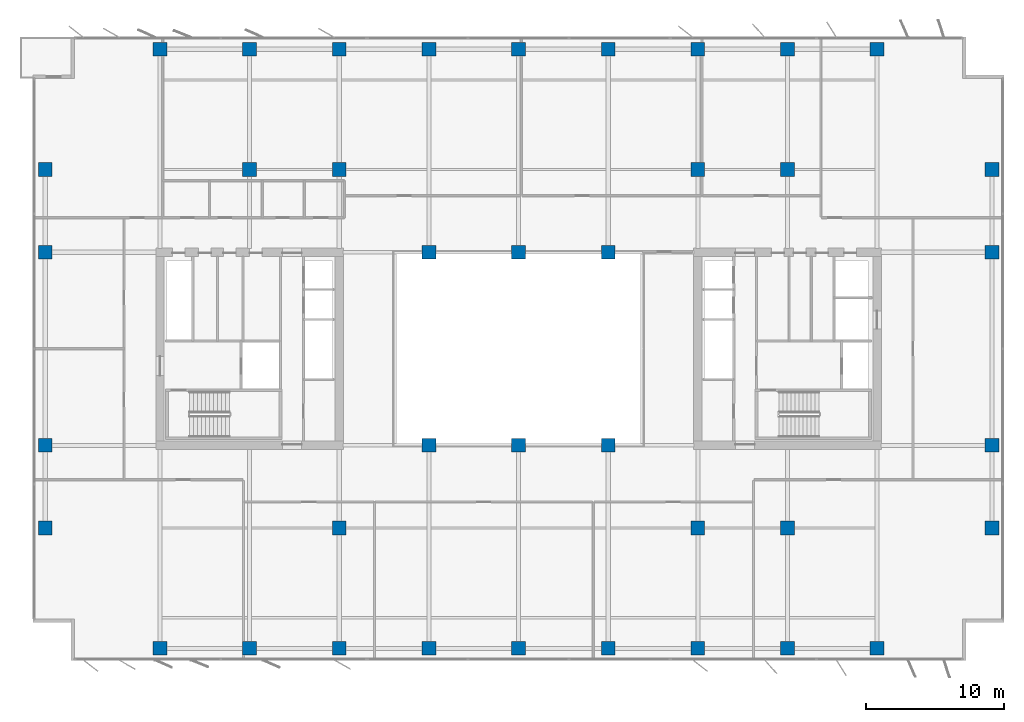
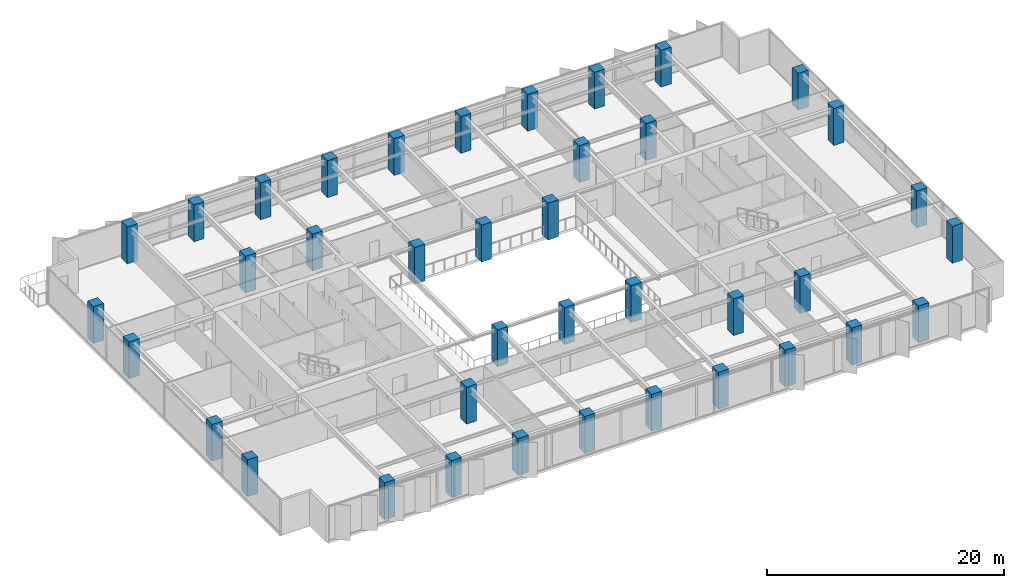
# One storey, part 1 of 22: 39 columns.
"""IFC4 building model written with IfcOpenShell, lengths in metres."""

from ifc_helpers import new_model, si_unit, direction, frame, origin, origin_2d, place, context, subcontext, project, spatial, rectangle, extrude, material, material_profile, profile_set, type_object, element, save


model = new_model("IFC4")

# Units and contexts
model_context = context("Model", 3, precision=1e-05, world=origin(), true_north=direction((0.0, 1.0)))
body_context = subcontext(model_context, "Body", "Model", "MODEL_VIEW")
ifc_project = project(units=[si_unit("LENGTHUNIT", "METRE"), si_unit("AREAUNIT", "SQUARE_METRE"), si_unit("VOLUMEUNIT", "CUBIC_METRE"), si_unit("PLANEANGLEUNIT", "RADIAN"), si_unit("MASSUNIT", "GRAM", prefix="KILO")], contexts=[model_context])

# Site, building, storey
site_placement = place(None, origin())
site = spatial("IfcSite", under=ifc_project, at=site_placement, CompositionType="ELEMENT")
building_placement = place(site_placement, origin())
building = spatial("IfcBuilding", under=site, at=building_placement, Name="Putna Gate Headquarters", CompositionType="ELEMENT")
storey_placement = place(building_placement, frame((0.0, 0.0, 148.0)))
storey = spatial("IfcBuildingStorey", under=building, at=storey_placement, Name="L36", CompositionType="ELEMENT", Elevation=148.0)

# Columns
ifc_material = material(Name="Concrete C50/60", Category="concrete")
ifc_material_profile_1 = material_profile(ifc_material, rectangle(XDim=1.0, YDim=1.0, at=origin_2d()), Name="Concrete C50/60")
ifc_profile_set_1 = profile_set([ifc_material_profile_1], Name="Concrete C50/60")
column_type_1 = type_object("IfcColumnType", Name="COL-RC1000-EXT", PredefinedType="COLUMN", material=ifc_profile_set_1)
for number, where, z_axis, x_axis, name in (
    (1, (13.0, 4.280029296875, 0.0), (0.0, 0.0, 1.0), (1.0, 0.0, 0.0), "L36 Column CP-S13"),
    (2, (13.0, 47.719970703125, 0.0), (0.0, 0.0, 1.0), (1.0, 0.0, 0.0), "L36 Column CP-N13"),
    (3, (19.5, 4.280029296875, 0.0), (0.0, 0.0, 1.0), (1.0, 0.0, 0.0), "L36 Column CP-S19"),
    (4, (19.5, 47.719970703125, 0.0), (0.0, 0.0, 1.0), (1.0, 0.0, 0.0), "L36 Column CP-N19"),
    (5, (26.0, 4.280029296875, 0.0), (0.0, 0.0, 1.0), (1.0, 0.0, 0.0), "L36 Column CP-S26"),
    (6, (26.0, 47.719970703125, 0.0), (0.0, 0.0, 1.0), (1.0, 0.0, 0.0), "L36 Column CP-N26"),
    (7, (32.5, 4.280029296875, 0.0), (0.0, 0.0, 1.0), (1.0, 0.0, 0.0), "L36 Column CP-S32"),
    (8, (32.5, 47.719970703125, 0.0), (0.0, 0.0, 1.0), (1.0, 0.0, 0.0), "L36 Column CP-N32"),
    (9, (39.0, 4.280029296875, 0.0), (0.0, 0.0, 1.0), (1.0, 0.0, 0.0), "L36 Column CP-S39"),
    (10, (39.0, 47.719970703125, 0.0), (0.0, 0.0, 1.0), (1.0, 0.0, 0.0), "L36 Column CP-N39"),
    (11, (45.5, 4.280029296875, 0.0), (0.0, 0.0, 1.0), (1.0, 0.0, 0.0), "L36 Column CP-S45"),
    (12, (45.5, 47.719970703125, 0.0), (0.0, 0.0, 1.0), (1.0, 0.0, 0.0), "L36 Column CP-N45"),
    (13, (52.0, 4.280029296875, 0.0), (0.0, 0.0, 1.0), (1.0, 0.0, 0.0), "L36 Column CP-S52"),
    (14, (52.0, 47.719970703125, 0.0), (0.0, 0.0, 1.0), (1.0, 0.0, 0.0), "L36 Column CP-N52"),
    (15, (58.5, 4.280029296875, 0.0), (0.0, 0.0, 1.0), (1.0, 0.0, 0.0), "L36 Column CP-S58"),
    (16, (58.5, 47.719970703125, 0.0), (0.0, 0.0, 1.0), (1.0, 0.0, 0.0), "L36 Column CP-N58"),
    (17, (65.0, 4.280029296875, 0.0), (0.0, 0.0, 1.0), (1.0, 0.0, 0.0), "L36 Column CP-S65"),
    (18, (65.0, 47.719970703125, 0.0), (0.0, 0.0, 1.0), (1.0, 0.0, 0.0), "L36 Column CP-N65"),
    (19, (4.679931640625, 13.0, 0.0), (0.0, 0.0, 1.0), (1.0, 0.0, 0.0), "L36 Column CP-W13"),
    (20, (73.320068359375, 13.0, 0.0), (0.0, 0.0, 1.0), (1.0, 0.0, 0.0), "L36 Column CP-E13"),
    (21, (4.679931640625, 19.0, 0.0), (0.0, 0.0, 1.0), (1.0, 0.0, 0.0), "L36 Column CP-W19"),
    (22, (73.320068359375, 19.0, 0.0), (0.0, 0.0, 1.0), (1.0, 0.0, 0.0), "L36 Column CP-E19"),
    (23, (4.679931640625, 33.0, 0.0), (0.0, 0.0, 1.0), (1.0, 0.0, 0.0), "L36 Column CP-W33"),
    (24, (73.320068359375, 33.0, 0.0), (0.0, 0.0, 1.0), (1.0, 0.0, 0.0), "L36 Column CP-E33"),
    (25, (4.679931640625, 39.0, 0.0), (0.0, 0.0, 1.0), (1.0, 0.0, 0.0), "L36 Column CP-W39"),
    (26, (73.320068359375, 39.0, 0.0), (0.0, 0.0, 1.0), (1.0, 0.0, 0.0), "L36 Column CP-E39"),
):
    element("IfcColumn", number, at=place(storey_placement, frame(where, z_axis=z_axis, x_axis=x_axis)), inside=storey, type_object=column_type_1, Name=name, PredefinedType="COLUMN", context=body_context, shape_type="SweptSolid", body=[
        extrude(rectangle(XDim=1.0, YDim=1.0, at=origin_2d()), origin(), (0.0, 0.0, 1.0), 3.800048828125),
    ])
ifc_material_profile_2 = material_profile(ifc_material, rectangle(XDim=1.0, YDim=1.0, at=origin_2d()), Name="Concrete C50/60")
ifc_profile_set_2 = profile_set([ifc_material_profile_2], Name="Concrete C50/60")
column_type_2 = type_object("IfcColumnType", Name="COL-RC1000-INT", PredefinedType="COLUMN", material=ifc_profile_set_2)
for number, where, z_axis, x_axis, name in (
    (27, (19.5, 39.0, 0.0), (0.0, 0.0, 1.0), (1.0, 0.0, 0.0), "L36 Column CSI-WN"),
    (28, (58.5, 13.0, 0.0), (0.0, 0.0, 1.0), (1.0, 0.0, 0.0), "L36 Column CSI-ES"),
    (29, (58.5, 39.0, 0.0), (0.0, 0.0, 1.0), (1.0, 0.0, 0.0), "L36 Column CSI-EN"),
    (30, (32.5, 19.0, 0.0), (0.0, 0.0, 1.0), (1.0, 0.0, 0.0), "L36 Column CAI-S32"),
    (31, (32.5, 33.0, 0.0), (0.0, 0.0, 1.0), (1.0, 0.0, 0.0), "L36 Column CAI-N32"),
    (32, (39.0, 19.0, 0.0), (0.0, 0.0, 1.0), (1.0, 0.0, 0.0), "L36 Column CAI-S39"),
    (33, (39.0, 33.0, 0.0), (0.0, 0.0, 1.0), (1.0, 0.0, 0.0), "L36 Column CAI-N39"),
    (34, (45.5, 19.0, 0.0), (0.0, 0.0, 1.0), (1.0, 0.0, 0.0), "L36 Column CAI-S45"),
    (35, (45.5, 33.0, 0.0), (0.0, 0.0, 1.0), (1.0, 0.0, 0.0), "L36 Column CAI-N45"),
    (36, (26.0, 13.0, 0.0), (0.0, 0.0, 1.0), (1.0, 0.0, 0.0), "L36 Column CAP-WS"),
    (37, (26.0, 39.0, 0.0), (0.0, 0.0, 1.0), (1.0, 0.0, 0.0), "L36 Column CAP-WN"),
    (38, (52.0, 13.0, 0.0), (0.0, 0.0, 1.0), (1.0, 0.0, 0.0), "L36 Column CAP-ES"),
    (39, (52.0, 39.0, 0.0), (0.0, 0.0, 1.0), (1.0, 0.0, 0.0), "L36 Column CAP-EN"),
):
    element("IfcColumn", number, at=place(storey_placement, frame(where, z_axis=z_axis, x_axis=x_axis)), inside=storey, type_object=column_type_2, Name=name, PredefinedType="COLUMN", context=body_context, shape_type="SweptSolid", body=[
        extrude(rectangle(XDim=1.0, YDim=1.0, at=origin_2d()), origin(), (0.0, 0.0, 1.0), 3.800048828125),
    ])

save(model, "model.ifc")
